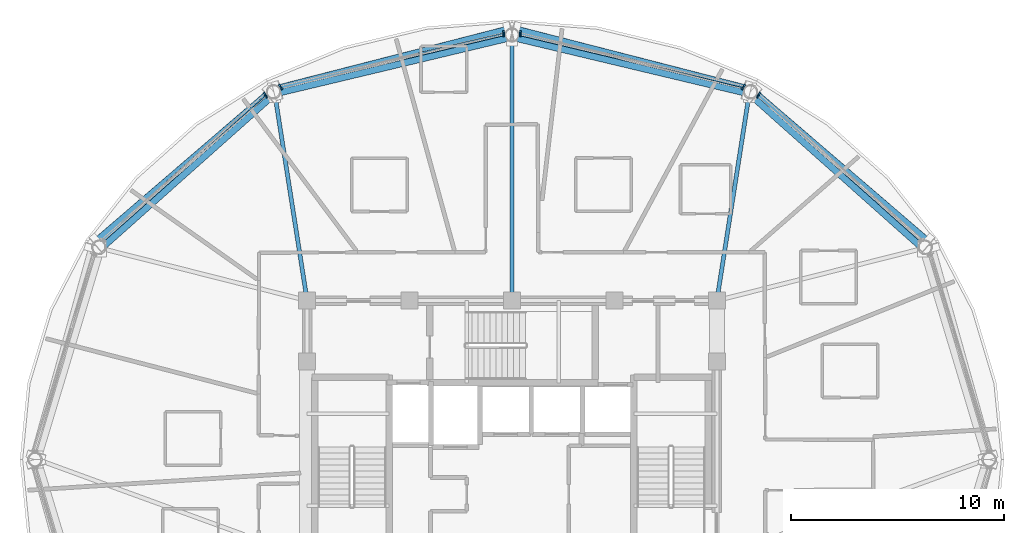
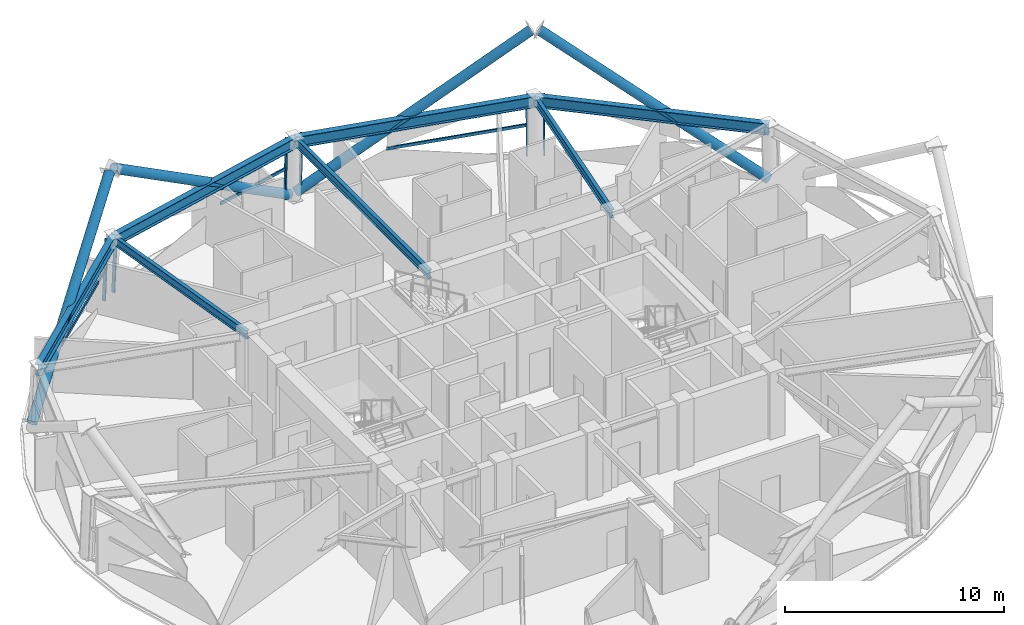
# One storey, part 4 of 14: 13 members, 7 beams, 4 elements without a shape of their own.
"""IFC4 building model written with IfcOpenShell, lengths in metres."""

from ifc_helpers import new_model, si_unit, direction, frame, origin, origin_2d, place, context, subcontext, project, spatial, hollow_rectangle, hollow_circle, i_section, extrude, material, layer, layer_set, material_profile, profile_set, type_object, element, aggregate, save


model = new_model("IFC4")

# Units and contexts
model_context = context("Model", 3, precision=1e-05, world=origin(), true_north=direction((0.0, 1.0)))
body_context = subcontext(model_context, "Body", "Model", "MODEL_VIEW")
ifc_project = project(units=[si_unit("LENGTHUNIT", "METRE"), si_unit("AREAUNIT", "SQUARE_METRE"), si_unit("VOLUMEUNIT", "CUBIC_METRE"), si_unit("PLANEANGLEUNIT", "RADIAN"), si_unit("MASSUNIT", "GRAM", prefix="KILO")], contexts=[model_context])

# Site, building, storey
site_placement = place(None, origin())
site = spatial("IfcSite", under=ifc_project, at=site_placement, CompositionType="ELEMENT")
building_placement = place(site_placement, origin())
building = spatial("IfcBuilding", under=site, at=building_placement, Name="Vantalir Tower", CompositionType="ELEMENT")
storey_placement = place(building_placement, frame((0.0, 0.0, 204.89990234375)))
storey = spatial("IfcBuildingStorey", under=building, at=storey_placement, Name="L51", CompositionType="ELEMENT", Elevation=204.89990234375)

# Beams
ifc_material_1 = material(Name="Steel S355", Category="steel")
ifc_material_profile_1 = material_profile(ifc_material_1, i_section(OverallWidth=0.19189453125, OverallDepth=0.462890625, WebThickness=0.010498046875, FlangeThickness=0.017578125, at=origin_2d()), Name="Steel S355")
ifc_profile_set_1 = profile_set([ifc_material_profile_1], Name="Steel S355")
beam_type_1 = type_object("IfcBeamType", Name="BM-RB-457x191", PredefinedType="BEAM", material=ifc_profile_set_1)
beam_1_placement = place(storey_placement, frame((42.616943359375, 42.14111328125, 3.338134765625), z_axis=(-0.154635778222, -0.987971546196, 0.0), x_axis=(0.987971546196, -0.154635778222, 0.0)))
element("IfcBeam", 1, at=beam_1_placement, inside=storey, type_object=beam_type_1, Name="L51 Radial Floor Beam 03", PredefinedType="BEAM", context=body_context, shape_type="SweptSolid", body=[
    extrude(i_section(OverallWidth=0.19189453125, OverallDepth=0.462890625, WebThickness=0.010498046875, FlangeThickness=0.017578125, at=origin_2d()), origin(), (0.0, 0.0, 1.0), 9.80908203125),
])
beam_2_placement = place(storey_placement, frame((31.5, 44.79296875, 3.338134765625), z_axis=(0.0, -1.0, 0.0), x_axis=(1.0, 0.0, 0.0)))
element("IfcBeam", 2, at=beam_2_placement, inside=storey, type_object=beam_type_1, Name="L51 Radial Floor Beam 04", PredefinedType="BEAM", context=body_context, shape_type="SweptSolid", body=[
    extrude(i_section(OverallWidth=0.19189453125, OverallDepth=0.462890625, WebThickness=0.010498046875, FlangeThickness=0.017578125, at=origin_2d()), origin(), (0.0, 0.0, 1.0), 12.343017578125),
])
beam_3_placement = place(storey_placement, frame((20.383056640625, 42.14111328125, 3.338134765625), z_axis=(0.154635778222, -0.987971546196, 0.0), x_axis=(0.987971546196, 0.154635778222, 0.0)))
element("IfcBeam", 3, at=beam_3_placement, inside=storey, type_object=beam_type_1, Name="L51 Radial Floor Beam 05", PredefinedType="BEAM", context=body_context, shape_type="SweptSolid", body=[
    extrude(i_section(OverallWidth=0.19189453125, OverallDepth=0.462890625, WebThickness=0.010498046875, FlangeThickness=0.017578125, at=origin_2d()), origin(), (0.0, 0.0, 1.0), 9.80908203125),
])
ifc_material_2 = material(Name="Steel S460", Category="steel")
ifc_material_profile_2 = material_profile(ifc_material_2, i_section(OverallWidth=0.306884765625, OverallDepth=0.6201171875, WebThickness=0.01416015625, FlangeThickness=0.023681640625, at=origin_2d()), Name="Steel S460")
ifc_profile_set_2 = profile_set([ifc_material_profile_2], Name="Steel S460")
beam_type_2 = type_object("IfcBeamType", Name="BM-RG-610x305", PredefinedType="USERDEFINED", material=ifc_profile_set_2)
beam_4_placement = place(storey_placement, frame((50.7548828125, 34.89599609375, 3.260009765625), z_axis=(-0.746889868002, 0.664947761163, 0.0), x_axis=(-0.664947761163, -0.746889868002, 0.0)))
element("IfcBeam", 4, at=beam_4_placement, inside=storey, type_object=beam_type_2, Name="L51 Circumferential Ring Girder 02", ObjectType="GIRDER", PredefinedType="USERDEFINED", context=body_context, shape_type="SweptSolid", body=[
    extrude(i_section(OverallWidth=0.306884765625, OverallDepth=0.6201171875, WebThickness=0.01416015625, FlangeThickness=0.023681640625, at=origin_2d()), origin(), (0.0, 0.0, 1.0), 10.895751953125),
])
for number, where, z_axis, x_axis, name in (
    (5, (42.616943359375, 42.14111328125, 3.260009765625), (-0.972708257923, 0.232031560285, 0.0), (-0.232031560285, -0.972708257923, 0.0), "L51 Circumferential Ring Girder 03"),
    (6, (31.5, 44.79296875, 3.260009765625), (-0.972708257923, -0.232031560285, 0.0), (0.232031560285, -0.972708257923, 0.0), "L51 Circumferential Ring Girder 04"),
):
    element("IfcBeam", number, at=place(storey_placement, frame(where, z_axis=z_axis, x_axis=x_axis)), inside=storey, type_object=beam_type_2, Name=name, ObjectType="GIRDER", PredefinedType="USERDEFINED", context=body_context, shape_type="SweptSolid", body=[
        extrude(i_section(OverallWidth=0.306884765625, OverallDepth=0.6201171875, WebThickness=0.01416015625, FlangeThickness=0.023681640625, at=origin_2d()), origin(), (0.0, 0.0, 1.0), 11.428955078125),
    ])
beam_5_placement = place(storey_placement, frame((20.383056640625, 42.14111328125, 3.260009765625), z_axis=(-0.746889868002, -0.664947761163, 0.0), x_axis=(0.664947761163, -0.746889868002, 0.0)))
element("IfcBeam", 7, at=beam_5_placement, inside=storey, type_object=beam_type_2, Name="L51 Circumferential Ring Girder 05", ObjectType="GIRDER", PredefinedType="USERDEFINED", context=body_context, shape_type="SweptSolid", body=[
    extrude(i_section(OverallWidth=0.306884765625, OverallDepth=0.6201171875, WebThickness=0.01416015625, FlangeThickness=0.023681640625, at=origin_2d()), origin(), (0.0, 0.0, 1.0), 10.895751953125),
])

# Curtain wall, member
ifc_material_3 = material(Name="Champagne-silver PVDF aluminium and double-silver Low-E glass", Category="aluminium")
ifc_layer = layer(ifc_material_3, 0.2099609375)
ifc_layer_set = layer_set([ifc_layer], Name="Champagne-silver PVDF aluminium and double-silver Low-E glass")
curtain_wall_type = type_object("IfcCurtainWallType", Name="CW-DIAMOND-Z3", PredefinedType="USERDEFINED", material=ifc_layer_set)
curtain_wall_1_placement = place(storey_placement, origin())
curtain_wall_1 = element("IfcCurtainWall", 8, at=curtain_wall_1_placement, inside=storey, type_object=curtain_wall_type, Name="L51 Quilted Pyramid-Diamond Curtain Wall S02", ObjectType="UNITISED CURTAIN WALL", PredefinedType="USERDEFINED")
ifc_material_4 = material(Name="Champagne-silver PVDF aluminium 6063-T6", Category="aluminium")
ifc_material_profile_3 = material_profile(ifc_material_4, hollow_rectangle(XDim=0.070068359375, YDim=0.1650390625, WallThickness=0.00390625, at=origin_2d()), Name="Champagne-silver PVDF aluminium 6063-T6")
ifc_profile_set_3 = profile_set([ifc_material_profile_3], Name="Champagne-silver PVDF aluminium 6063-T6")
member_type_1 = type_object("IfcMemberType", Name="CWM-165x70", PredefinedType="MULLION", material=ifc_profile_set_3)
member_1_placement = place(storey_placement, frame((43.092041015625, 42.14697265625, 0.045166015625), z_axis=(-0.021240998062, -0.032737775891, 0.999238238875), x_axis=(0.838894783542, -0.544293617587, 0.0)))
member_1 = element("IfcMember", 9, at=member_1_placement, type_object=member_type_1, Name="CW-L51-S02 Mullion 2", PredefinedType="MULLION", context=body_context, shape_type="SweptSolid", body=[
    extrude(hollow_rectangle(XDim=0.070068359375, YDim=0.1650390625, WallThickness=0.00390625, at=origin_2d()), origin(), (0.0, 0.0, 1.0), 3.482666015625),
])
aggregate(curtain_wall_1, [member_1])

# Curtain wall, members
curtain_wall_2_placement = place(storey_placement, origin())
curtain_wall_2 = element("IfcCurtainWall", 10, at=curtain_wall_2_placement, inside=storey, type_object=curtain_wall_type, Name="L51 Quilted Pyramid-Diamond Curtain Wall S03", ObjectType="UNITISED CURTAIN WALL", PredefinedType="USERDEFINED")
member_2_placement = place(storey_placement, frame((42.386962890625, 42.514892578125, 0.045166015625), z_axis=(-0.021240998062, -0.032737775891, 0.999238238875), x_axis=(0.838894783542, -0.544293617587, 0.0)))
member_2 = element("IfcMember", 11, at=member_2_placement, type_object=member_type_1, Name="CW-L51-S03 Mullion 1", PredefinedType="MULLION", context=body_context, shape_type="SweptSolid", body=[
    extrude(hollow_rectangle(XDim=0.070068359375, YDim=0.1650390625, WallThickness=0.00390625, at=origin_2d()), origin(), (0.0, 0.0, 1.0), 3.482666015625),
])
member_3_placement = place(storey_placement, frame((31.89892578125, 45.02001953125, 0.045166015625), z_axis=(0.0, -0.03792695091, 0.999280514368), x_axis=(1.0, 0.0, 0.0)))
member_3 = element("IfcMember", 12, at=member_3_placement, type_object=member_type_1, Name="CW-L51-S03 Mullion 2", PredefinedType="MULLION", context=body_context, shape_type="SweptSolid", body=[
    extrude(hollow_rectangle(XDim=0.070068359375, YDim=0.1650390625, WallThickness=0.00390625, at=origin_2d()), origin(), (0.0, 0.0, 1.0), 3.482421875),
])

curtain_wall_3_placement = place(storey_placement, origin())
curtain_wall_3 = element("IfcCurtainWall", 13, at=curtain_wall_3_placement, inside=storey, type_object=curtain_wall_type, Name="L51 Quilted Pyramid-Diamond Curtain Wall S04", ObjectType="UNITISED CURTAIN WALL", PredefinedType="USERDEFINED")
member_4_placement = place(storey_placement, frame((31.10107421875, 45.02001953125, 0.045166015625), z_axis=(0.0, -0.03792695091, 0.999280514368), x_axis=(1.0, 0.0, 0.0)))
member_4 = element("IfcMember", 14, at=member_4_placement, type_object=member_type_1, Name="CW-L51-S04 Mullion 1", PredefinedType="MULLION", context=body_context, shape_type="SweptSolid", body=[
    extrude(hollow_rectangle(XDim=0.070068359375, YDim=0.1650390625, WallThickness=0.00390625, at=origin_2d()), origin(), (0.0, 0.0, 1.0), 3.482421875),
])
member_5_placement = place(storey_placement, frame((20.613037109375, 42.514892578125, 0.045166015625), z_axis=(0.021240998062, -0.032737775891, 0.999238238875), x_axis=(0.838894783542, 0.544293617587, 0.0)))
member_5 = element("IfcMember", 15, at=member_5_placement, type_object=member_type_1, Name="CW-L51-S04 Mullion 2", PredefinedType="MULLION", context=body_context, shape_type="SweptSolid", body=[
    extrude(hollow_rectangle(XDim=0.070068359375, YDim=0.1650390625, WallThickness=0.00390625, at=origin_2d()), origin(), (0.0, 0.0, 1.0), 3.482666015625),
])

# Curtain wall, member
curtain_wall_4_placement = place(storey_placement, origin())
curtain_wall_4 = element("IfcCurtainWall", 16, at=curtain_wall_4_placement, inside=storey, type_object=curtain_wall_type, Name="L51 Quilted Pyramid-Diamond Curtain Wall S05", ObjectType="UNITISED CURTAIN WALL", PredefinedType="USERDEFINED")
member_6_placement = place(storey_placement, frame((19.907958984375, 42.14697265625, 0.045166015625), z_axis=(0.021240998062, -0.032737775891, 0.999238238875), x_axis=(0.838894783542, 0.544293617587, 0.0)))
member_6 = element("IfcMember", 17, at=member_6_placement, type_object=member_type_1, Name="CW-L51-S05 Mullion 1", PredefinedType="MULLION", context=body_context, shape_type="SweptSolid", body=[
    extrude(hollow_rectangle(XDim=0.070068359375, YDim=0.1650390625, WallThickness=0.00390625, at=origin_2d()), origin(), (0.0, 0.0, 1.0), 3.482666015625),
])

# Member
ifc_material_profile_4 = material_profile(ifc_material_4, hollow_rectangle(XDim=0.074951171875, YDim=0.159912109375, WallThickness=0.00390625, at=origin_2d()), Name="Champagne-silver PVDF aluminium 6063-T6")
ifc_profile_set_4 = profile_set([ifc_material_profile_4], Name="Champagne-silver PVDF aluminium 6063-T6")
member_type_2 = type_object("IfcMemberType", Name="CWT-160x75", PredefinedType="USERDEFINED", material=ifc_profile_set_4)
member_7_placement = place(storey_placement, frame((42.35009765625, 42.4580078125, 1.78515625), z_axis=(-0.971796429509, 0.23582132981, 0.0), x_axis=(-0.23582132981, -0.971796429509, 0.0)))
member_7 = element("IfcMember", 18, at=member_7_placement, type_object=member_type_2, Name="CW-L51-S03 Pyramid Fold Ridge Transom", ObjectType="TRANSOM", PredefinedType="USERDEFINED", context=body_context, shape_type="SweptSolid", body=[
    extrude(hollow_rectangle(XDim=0.074951171875, YDim=0.159912109375, WallThickness=0.00390625, at=origin_2d()), origin(), (0.0, 0.0, 1.0), 6.662109375),
])

aggregate(curtain_wall_2, [member_2, member_3, member_7])

member_8_placement = place(storey_placement, frame((31.10107421875, 44.9541015625, 1.78515625), z_axis=(-0.973999743349, -0.226549111575, 0.0), x_axis=(0.226549111575, -0.973999743349, 0.0)))
member_8 = element("IfcMember", 19, at=member_8_placement, type_object=member_type_2, Name="CW-L51-S04 Pyramid Fold Ridge Transom", ObjectType="TRANSOM", PredefinedType="USERDEFINED", context=body_context, shape_type="SweptSolid", body=[
    extrude(hollow_rectangle(XDim=0.074951171875, YDim=0.159912109375, WallThickness=0.00390625, at=origin_2d()), origin(), (0.0, 0.0, 1.0), 4.083251953125),
])

aggregate(curtain_wall_3, [member_4, member_5, member_8])

member_9_placement = place(storey_placement, frame((19.945068359375, 42.090087890625, 1.78515625), z_axis=(-0.749042167753, -0.662522324853, 0.0), x_axis=(0.662522324853, -0.749042167753, 0.0)))
member_9 = element("IfcMember", 20, at=member_9_placement, type_object=member_type_2, Name="CW-L51-S05 Pyramid Fold Ridge Transom", ObjectType="TRANSOM", PredefinedType="USERDEFINED", context=body_context, shape_type="SweptSolid", body=[
    extrude(hollow_rectangle(XDim=0.074951171875, YDim=0.159912109375, WallThickness=0.00390625, at=origin_2d()), origin(), (0.0, 0.0, 1.0), 6.3349609375),
])

aggregate(curtain_wall_4, [member_6, member_9])

# Members
ifc_material_profile_5 = material_profile(ifc_material_2, hollow_circle(Radius=0.25, WallThickness=0.031982421875, at=origin_2d()), Name="Steel S460")
ifc_profile_set_5 = profile_set([ifc_material_profile_5], Name="Steel S460")
member_type_3 = type_object("IfcMemberType", Name="MEM-DB-500x32", PredefinedType="BRACE", material=ifc_profile_set_5)
member_10_placement = place(storey_placement, frame((50.907958984375, 35.177978515625, 0.2001953125), z_axis=(-0.636396012755, 0.546653518755, 0.544215072726), x_axis=(-0.651595797808, -0.758566355884, 0.0)))
element("IfcMember", 21, at=member_10_placement, inside=storey, type_object=member_type_3, Name="L51 Perimeter S460 Diagrid Brace R04L", PredefinedType="BRACE", context=body_context, shape_type="SweptSolid", body=[
    extrude(hollow_circle(Radius=0.25, WallThickness=0.031982421875, at=origin_2d()), origin(), (0.0, 0.0, 1.0), 12.71533203125),
])
member_11_placement = place(storey_placement, frame((31.319091796875, 45.069091796875, 0.196044921875), z_axis=(-0.82301585401, -0.21115215961, 0.527313634889), x_axis=(0.248510575835, -0.968629182762, 0.0)))
element("IfcMember", 22, at=member_11_placement, inside=storey, type_object=member_type_3, Name="L51 Perimeter S460 Diagrid Brace R10L", PredefinedType="BRACE", context=body_context, shape_type="SweptSolid", body=[
    extrude(hollow_circle(Radius=0.25, WallThickness=0.031982421875, at=origin_2d()), origin(), (0.0, 0.0, 1.0), 13.13818359375),
])
member_12_placement = place(storey_placement, frame((31.680908203125, 45.069091796875, 0.196044921875), z_axis=(0.823045828205, -0.21113601413, 0.527273314527), x_axis=(0.248484256203, 0.968635934921, 0.0)))
element("IfcMember", 23, at=member_12_placement, inside=storey, type_object=member_type_3, Name="L51 Perimeter S460 Diagrid Brace R10R", PredefinedType="BRACE", context=body_context, shape_type="SweptSolid", body=[
    extrude(hollow_circle(Radius=0.25, WallThickness=0.031982421875, at=origin_2d()), origin(), (0.0, 0.0, 1.0), 13.13916015625),
])
member_13_placement = place(storey_placement, frame((12.092041015625, 35.177978515625, 0.2001953125), z_axis=(0.636441706276, 0.54662680079, 0.544188473941), x_axis=(-0.651550550957, 0.758605219826, 0.0)))
element("IfcMember", 24, at=member_13_placement, inside=storey, type_object=member_type_3, Name="L51 Perimeter S460 Diagrid Brace R16R", PredefinedType="BRACE", context=body_context, shape_type="SweptSolid", body=[
    extrude(hollow_circle(Radius=0.25, WallThickness=0.031982421875, at=origin_2d()), origin(), (0.0, 0.0, 1.0), 12.716064453125),
])

save(model, "model.ifc")
